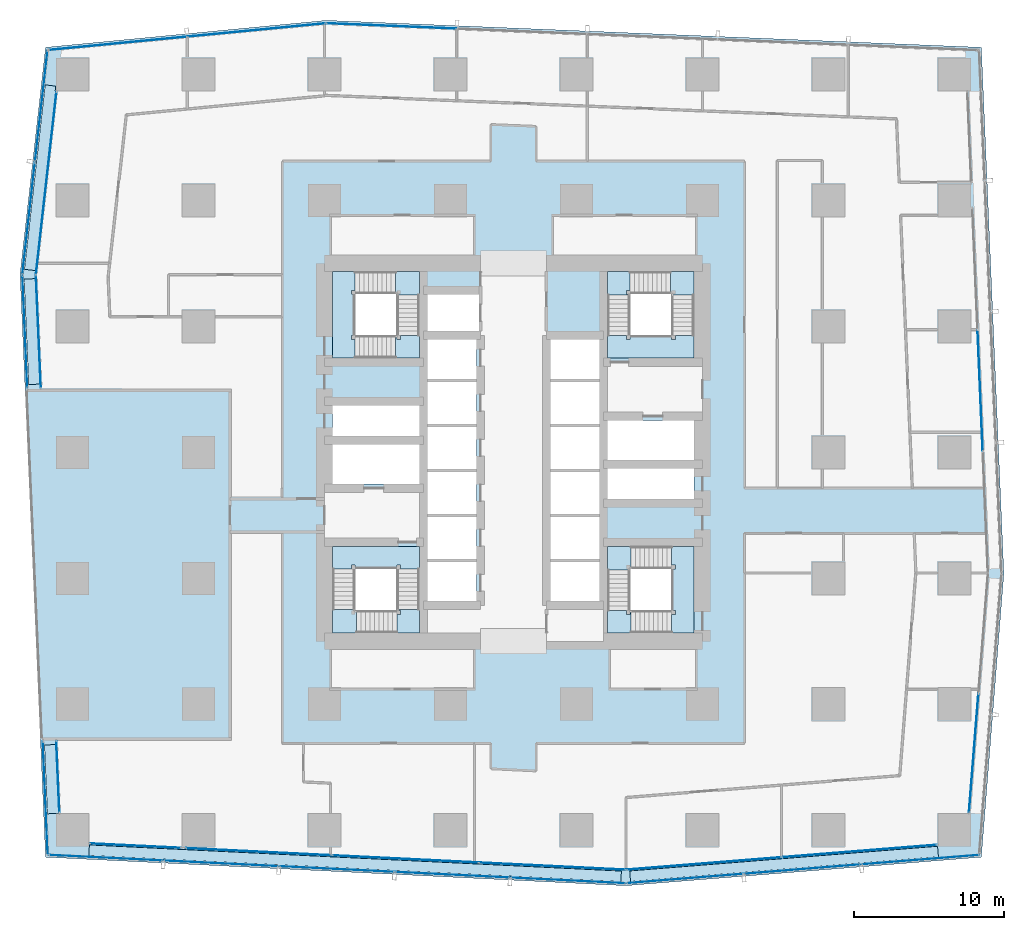
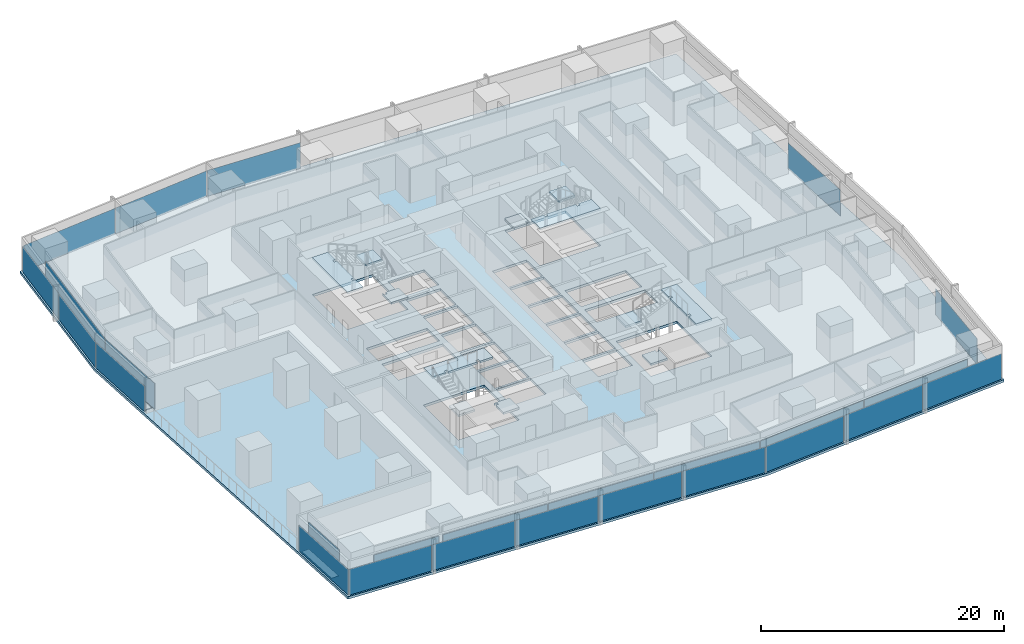
# One storey, part 28 of 42: 31 plates, 13 slabs, 19 elements without a shape of their own.
"""IFC4 building model written with IfcOpenShell, lengths in metres."""

from ifc_helpers import new_model, si_unit, direction, frame, origin, origin_2d, place, context, subcontext, project, spatial, polyline, rectangle, outline, extrude, material, layer, layer_set, type_object, element, aggregate, save


model = new_model("IFC4")

# Units and contexts
model_context = context("Model", 3, precision=1e-05, world=origin(), true_north=direction((0.0, 1.0)))
body_context = subcontext(model_context, "Body", "Model", "MODEL_VIEW")
ifc_project = project(units=[si_unit("LENGTHUNIT", "METRE"), si_unit("AREAUNIT", "SQUARE_METRE"), si_unit("VOLUMEUNIT", "CUBIC_METRE"), si_unit("PLANEANGLEUNIT", "RADIAN"), si_unit("MASSUNIT", "GRAM", prefix="KILO")], contexts=[model_context])

# Site, building, storey
site_placement = place(None, origin())
site = spatial("IfcSite", under=ifc_project, at=site_placement, CompositionType="ELEMENT")
building_placement = place(site_placement, origin())
building = spatial("IfcBuilding", under=site, at=building_placement, Name="Rekha Terrace Tower", CompositionType="ELEMENT")
storey_placement = place(building_placement, frame((0.0, 0.0, 55.39990234375)))
storey = spatial("IfcBuildingStorey", under=building, at=storey_placement, Name="L13", CompositionType="ELEMENT", Elevation=55.39990234375)

# Curtain wall, plate
ifc_material_1 = material(Name="Aluminium framing", Category="aluminium")
curtain_wall_type_1 = type_object("IfcCurtainWallType", Name="CW1 double skin inner glazing", PredefinedType="USERDEFINED", material=ifc_material_1)
curtain_wall_1_placement = place(storey_placement, origin())
curtain_wall_1 = element("IfcCurtainWall", 1, at=curtain_wall_1_placement, inside=storey, type_object=curtain_wall_type_1, Name="CW1 double skin inner glazing", ObjectType="DOUBLE SKIN INNER GLAZING", PredefinedType="USERDEFINED")
ifc_material_2 = material(Name="Double-glazed low-e unit 32", Category="glass")
ifc_layer_1 = layer(ifc_material_2, 0.031982421875)
ifc_layer_set_1 = layer_set([ifc_layer_1], Name="Double-glazed low-e unit 32")
plate_type_1 = type_object("IfcPlateType", Name="CW1 jumbo vision panel, double-glazed low-e unit 32", PredefinedType="CURTAIN_PANEL", material=ifc_layer_set_1)
plate_1_placement = place(storey_placement, frame((12.60009765625, 7.36669921875, 0.0), z_axis=(0.0, 0.0, 1.0), x_axis=(0.998796239977, -0.049051717693, 0.0)))
plate_1 = element("IfcPlate", 2, at=plate_1_placement, type_object=plate_type_1, Name="CW1 panel 1.1", PredefinedType="CURTAIN_PANEL", context=body_context, shape_type="SweptSolid", body=[
    extrude(rectangle(XDim=6.028076171875, YDim=0.031982421875, at=origin_2d()), origin(), (0.0, 0.0, 1.0), 2.60009765625),
])
aggregate(curtain_wall_1, [plate_1])

# Curtain wall, plates
curtain_wall_2_placement = place(storey_placement, origin())
curtain_wall_2 = element("IfcCurtainWall", 3, at=curtain_wall_2_placement, inside=storey, type_object=curtain_wall_type_1, Name="CW1 double skin inner glazing", ObjectType="DOUBLE SKIN INNER GLAZING", PredefinedType="USERDEFINED")
plate_2_placement = place(storey_placement, frame((20.818603515625, 6.962890625, 0.0), z_axis=(0.0, 0.0, 1.0), x_axis=(0.998796239974, -0.049051717746, 0.0)))
plate_2 = element("IfcPlate", 4, at=plate_2_placement, type_object=plate_type_1, Name="CW1 panel 1.1", PredefinedType="CURTAIN_PANEL", context=body_context, shape_type="SweptSolid", body=[
    extrude(rectangle(XDim=9.701904296875, YDim=0.031982421875, at=origin_2d()), origin(), (0.0, 0.0, 1.0), 2.60009765625),
])
plate_3_placement = place(storey_placement, frame((30.590087890625, 6.483154296875, 0.0), z_axis=(0.0, 0.0, 1.0), x_axis=(0.998796239974, -0.049051717746, 0.0)))
plate_3 = element("IfcPlate", 5, at=plate_3_placement, type_object=plate_type_1, Name="CW1 panel 2.1", PredefinedType="CURTAIN_PANEL", context=body_context, shape_type="SweptSolid", body=[
    extrude(rectangle(XDim=9.734619140625, YDim=0.031982421875, at=origin_2d()), origin(), (0.0, 0.0, 1.0), 2.60009765625),
])
plate_4_placement = place(storey_placement, frame((40.39404296875, 6.001708984375, 0.0), z_axis=(0.0, 0.0, 1.0), x_axis=(0.998796239974, -0.049051717746, 0.0)))
plate_4 = element("IfcPlate", 6, at=plate_4_placement, type_object=plate_type_1, Name="CW1 panel 3.1", PredefinedType="CURTAIN_PANEL", context=body_context, shape_type="SweptSolid", body=[
    extrude(rectangle(XDim=9.76708984375, YDim=0.031982421875, at=origin_2d()), origin(), (0.0, 0.0, 1.0), 2.60009765625),
])
aggregate(curtain_wall_2, [plate_2, plate_3, plate_4])

curtain_wall_3_placement = place(storey_placement, origin())
curtain_wall_3 = element("IfcCurtainWall", 7, at=curtain_wall_3_placement, inside=storey, type_object=curtain_wall_type_1, Name="CW1 double skin inner glazing", ObjectType="DOUBLE SKIN INNER GLAZING", PredefinedType="USERDEFINED")
plate_5_placement = place(storey_placement, frame((50.488037109375, 6.18017578125, 0.0), z_axis=(0.0, 0.0, 1.0), x_axis=(0.996805111821, 0.079872204468, 0.0)))
plate_5 = element("IfcPlate", 8, at=plate_5_placement, type_object=plate_type_1, Name="CW1 panel 1.1", PredefinedType="CURTAIN_PANEL", context=body_context, shape_type="SweptSolid", body=[
    extrude(rectangle(XDim=10.336181640625, YDim=0.031982421875, at=origin_2d()), origin(), (0.0, 0.0, 1.0), 2.60009765625),
])
plate_6_placement = place(storey_placement, frame((60.85595703125, 7.0107421875, 0.0), z_axis=(0.0, 0.0, 1.0), x_axis=(0.996805111821, 0.079872204468, 0.0)))
plate_6 = element("IfcPlate", 9, at=plate_6_placement, type_object=plate_type_1, Name="CW1 panel 2.1", PredefinedType="CURTAIN_PANEL", context=body_context, shape_type="SweptSolid", body=[
    extrude(rectangle(XDim=10.336181640625, YDim=0.031982421875, at=origin_2d()), origin(), (0.0, 0.0, 1.0), 2.60009765625),
])
aggregate(curtain_wall_3, [plate_5, plate_6])

# Curtain wall, plate
curtain_wall_4_placement = place(storey_placement, origin())
curtain_wall_4 = element("IfcCurtainWall", 10, at=curtain_wall_4_placement, inside=storey, type_object=curtain_wall_type_1, Name="CW1 double skin inner glazing", ObjectType="DOUBLE SKIN INNER GLAZING", PredefinedType="USERDEFINED")
plate_7_placement = place(storey_placement, frame((68.487548828125, 13.541748046875, 0.0), z_axis=(0.0, 0.0, 1.0), x_axis=(0.079116301, 0.996865392576, 0.0)))
plate_7 = element("IfcPlate", 11, at=plate_7_placement, type_object=plate_type_1, Name="CW1 panel 1.1", PredefinedType="CURTAIN_PANEL", context=body_context, shape_type="SweptSolid", body=[
    extrude(rectangle(XDim=7.923583984375, YDim=0.031982421875, at=origin_2d()), origin(), (0.0, 0.0, 1.0), 2.60009765625),
])
aggregate(curtain_wall_4, [plate_7])

curtain_wall_5_placement = place(storey_placement, origin())
curtain_wall_5 = element("IfcCurtainWall", 12, at=curtain_wall_5_placement, inside=storey, type_object=curtain_wall_type_1, Name="CW1 double skin inner glazing", ObjectType="DOUBLE SKIN INNER GLAZING", PredefinedType="USERDEFINED")
plate_8_placement = place(storey_placement, frame((68.9169921875, 37.7158203125, 0.0), z_axis=(0.0, 0.0, 1.0), x_axis=(-0.042696072921, 0.999088106904, 0.0)))
plate_8 = element("IfcPlate", 13, at=plate_8_placement, type_object=plate_type_1, Name="CW1 panel 2.1", PredefinedType="CURTAIN_PANEL", context=body_context, shape_type="SweptSolid", body=[
    extrude(rectangle(XDim=8.073486328125, YDim=0.031982421875, at=origin_2d()), origin(), (0.0, 0.0, 1.0), 2.60009765625),
])
aggregate(curtain_wall_5, [plate_8])

curtain_wall_6_placement = place(storey_placement, origin())
curtain_wall_6 = element("IfcCurtainWall", 14, at=curtain_wall_6_placement, inside=storey, type_object=curtain_wall_type_1, Name="CW1 double skin inner glazing", ObjectType="DOUBLE SKIN INNER GLAZING", PredefinedType="USERDEFINED")
plate_9_placement = place(storey_placement, frame((6.646728515625, 51.52734375, 0.0), z_axis=(0.0, 0.0, 1.0), x_axis=(-0.111729870748, -0.993738615524, 0.0)))
plate_9 = element("IfcPlate", 15, at=plate_9_placement, type_object=plate_type_1, Name="CW1 panel 1.1", PredefinedType="CURTAIN_PANEL", context=body_context, shape_type="SweptSolid", body=[
    extrude(rectangle(XDim=12.243896484375, YDim=0.031982421875, at=origin_2d()), origin(), (0.0, 0.0, 1.0), 2.60009765625),
])
aggregate(curtain_wall_6, [plate_9])

curtain_wall_7_placement = place(storey_placement, origin())
curtain_wall_7 = element("IfcCurtainWall", 16, at=curtain_wall_7_placement, inside=storey, type_object=curtain_wall_type_1, Name="CW1 double skin inner glazing", ObjectType="DOUBLE SKIN INNER GLAZING", PredefinedType="USERDEFINED")
plate_10_placement = place(storey_placement, frame((6.129150390625, 41.636962890625, 0.0), z_axis=(0.0, 0.0, 1.0), x_axis=(0.043682543355, -0.999045462132, 0.0)))
plate_10 = element("IfcPlate", 17, at=plate_10_placement, type_object=plate_type_1, Name="CW1 panel 1.1", PredefinedType="CURTAIN_PANEL", context=body_context, shape_type="SweptSolid", body=[
    extrude(rectangle(XDim=7.490966796875, YDim=0.031982421875, at=origin_2d()), origin(), (0.0, 0.0, 1.0), 2.60009765625),
])
aggregate(curtain_wall_7, [plate_10])

curtain_wall_8_placement = place(storey_placement, origin())
curtain_wall_8 = element("IfcCurtainWall", 18, at=curtain_wall_8_placement, inside=storey, type_object=curtain_wall_type_1, Name="CW1 double skin inner glazing", ObjectType="DOUBLE SKIN INNER GLAZING", PredefinedType="USERDEFINED")
plate_11_placement = place(storey_placement, frame((7.426513671875, 11.96044921875, 0.0), z_axis=(0.0, 0.0, 1.0), x_axis=(0.043682543424, -0.999045462129, 0.0)))
plate_11 = element("IfcPlate", 19, at=plate_11_placement, type_object=plate_type_1, Name="CW1 panel 1.1", PredefinedType="CURTAIN_PANEL", context=body_context, shape_type="SweptSolid", body=[
    extrude(rectangle(XDim=4.74755859375, YDim=0.031982421875, at=origin_2d()), origin(), (0.0, 0.0, 1.0), 2.60009765625),
])
aggregate(curtain_wall_8, [plate_11])

# Curtain wall, plates
curtain_wall_type_2 = type_object("IfcCurtainWallType", Name="CW2 double skin outer glazing", PredefinedType="USERDEFINED", material=ifc_material_1)
curtain_wall_9_placement = place(storey_placement, origin())
curtain_wall_9 = element("IfcCurtainWall", 20, at=curtain_wall_9_placement, inside=storey, type_object=curtain_wall_type_2, Name="CW2 double skin outer glazing", ObjectType="DOUBLE SKIN OUTER GLAZING", PredefinedType="USERDEFINED")
ifc_material_3 = material(Name="Toughened single glazing 12", Category="glass")
ifc_layer_2 = layer(ifc_material_3, 0.011962890625)
ifc_layer_set_2 = layer_set([ifc_layer_2], Name="Toughened single glazing 12")
plate_type_2 = type_object("IfcPlateType", Name="CW2 jumbo vision panel, toughened single glazing 12", PredefinedType="CURTAIN_PANEL", material=ifc_layer_set_2)
plate_12_placement = place(storey_placement, frame((10.626708984375, 6.5625, 0.0), z_axis=(0.0, 0.0, 1.0), x_axis=(0.998796239974, -0.049051717746, 0.0)))
plate_12 = element("IfcPlate", 21, at=plate_12_placement, type_object=plate_type_2, Name="CW2 panel 1.1", PredefinedType="CURTAIN_PANEL", context=body_context, shape_type="SweptSolid", body=[
    extrude(rectangle(XDim=7.595703125, YDim=0.011962890625, at=origin_2d()), origin(), (0.0, 0.0, 1.0), 2.60009765625),
])
plate_13_placement = place(storey_placement, frame((18.31298828125, 6.18505859375, 0.0), z_axis=(0.0, 0.0, 1.0), x_axis=(0.998796239974, -0.049051717746, 0.0)))
plate_13 = element("IfcPlate", 22, at=plate_13_placement, type_object=plate_type_2, Name="CW2 panel 2.1", PredefinedType="CURTAIN_PANEL", context=body_context, shape_type="SweptSolid", body=[
    extrude(rectangle(XDim=7.6357421875, YDim=0.011962890625, at=origin_2d()), origin(), (0.0, 0.0, 1.0), 2.60009765625),
])
plate_14_placement = place(storey_placement, frame((26.01953125, 5.806396484375, 0.0), z_axis=(0.0, 0.0, 1.0), x_axis=(0.998796239974, -0.049051717746, 0.0)))
plate_14 = element("IfcPlate", 23, at=plate_14_placement, type_object=plate_type_2, Name="CW2 panel 3.1", PredefinedType="CURTAIN_PANEL", context=body_context, shape_type="SweptSolid", body=[
    extrude(rectangle(XDim=7.6357421875, YDim=0.011962890625, at=origin_2d()), origin(), (0.0, 0.0, 1.0), 2.60009765625),
])
plate_15_placement = place(storey_placement, frame((33.725830078125, 5.427978515625, 0.0), z_axis=(0.0, 0.0, 1.0), x_axis=(0.998796239974, -0.049051717746, 0.0)))
plate_15 = element("IfcPlate", 24, at=plate_15_placement, type_object=plate_type_2, Name="CW2 panel 4.1", PredefinedType="CURTAIN_PANEL", context=body_context, shape_type="SweptSolid", body=[
    extrude(rectangle(XDim=7.6357421875, YDim=0.011962890625, at=origin_2d()), origin(), (0.0, 0.0, 1.0), 2.60009765625),
])
plate_16_placement = place(storey_placement, frame((41.452392578125, 5.048583984375, 0.0), z_axis=(0.0, 0.0, 1.0), x_axis=(0.998796239974, -0.049051717746, 0.0)))
plate_16 = element("IfcPlate", 25, at=plate_16_placement, type_object=plate_type_2, Name="CW2 panel 5.1", PredefinedType="CURTAIN_PANEL", context=body_context, shape_type="SweptSolid", body=[
    extrude(rectangle(XDim=7.67578125, YDim=0.011962890625, at=origin_2d()), origin(), (0.0, 0.0, 1.0), 2.60009765625),
])
aggregate(curtain_wall_9, [plate_12, plate_13, plate_14, plate_15, plate_16])

curtain_wall_10_placement = place(storey_placement, origin())
curtain_wall_10 = element("IfcCurtainWall", 26, at=curtain_wall_10_placement, inside=storey, type_object=curtain_wall_type_2, Name="CW2 double skin outer glazing", ObjectType="DOUBLE SKIN OUTER GLAZING", PredefinedType="USERDEFINED")
plate_17_placement = place(storey_placement, frame((49.233154296875, 5.176513671875, 0.0), z_axis=(0.0, 0.0, 1.0), x_axis=(0.996805111821, 0.079872204468, 0.0)))
plate_17 = element("IfcPlate", 27, at=plate_17_placement, type_object=plate_type_2, Name="CW2 panel 1.1", PredefinedType="CURTAIN_PANEL", context=body_context, shape_type="SweptSolid", body=[
    extrude(rectangle(XDim=7.760498046875, YDim=0.011962890625, at=origin_2d()), origin(), (0.0, 0.0, 1.0), 2.60009765625),
])
plate_18_placement = place(storey_placement, frame((57.068359375, 5.804443359375, 0.0), z_axis=(0.0, 0.0, 1.0), x_axis=(0.996805111821, 0.079872204468, 0.0)))
plate_18 = element("IfcPlate", 28, at=plate_18_placement, type_object=plate_type_2, Name="CW2 panel 2.1", PredefinedType="CURTAIN_PANEL", context=body_context, shape_type="SweptSolid", body=[
    extrude(rectangle(XDim=7.800537109375, YDim=0.011962890625, at=origin_2d()), origin(), (0.0, 0.0, 1.0), 2.60009765625),
])
plate_19_placement = place(storey_placement, frame((64.943603515625, 6.435546875, 0.0), z_axis=(0.0, 0.0, 1.0), x_axis=(0.996805111821, 0.079872204468, 0.0)))
plate_19 = element("IfcPlate", 29, at=plate_19_placement, type_object=plate_type_2, Name="CW2 panel 3.1", PredefinedType="CURTAIN_PANEL", context=body_context, shape_type="SweptSolid", body=[
    extrude(rectangle(XDim=7.84033203125, YDim=0.011962890625, at=origin_2d()), origin(), (0.0, 0.0, 1.0), 2.60009765625),
])
aggregate(curtain_wall_10, [plate_17, plate_18, plate_19])

curtain_wall_11_placement = place(storey_placement, origin())
curtain_wall_11 = element("IfcCurtainWall", 30, at=curtain_wall_11_placement, inside=storey, type_object=curtain_wall_type_2, Name="CW2 double skin outer glazing", ObjectType="DOUBLE SKIN OUTER GLAZING", PredefinedType="USERDEFINED")
plate_20_placement = place(storey_placement, frame((6.3212890625, 56.688720703125, 0.0), z_axis=(0.0, 0.0, 1.0), x_axis=(-0.111729870782, -0.99373861552, 0.0)))
plate_20 = element("IfcPlate", 31, at=plate_20_placement, type_object=plate_type_2, Name="CW2 panel 1.1", PredefinedType="CURTAIN_PANEL", context=body_context, shape_type="SweptSolid", body=[
    extrude(rectangle(XDim=7.41650390625, YDim=0.011962890625, at=origin_2d()), origin(), (0.0, 0.0, 1.0), 2.60009765625),
])
plate_21_placement = place(storey_placement, frame((5.479248046875, 49.19921875, 0.0), z_axis=(0.0, 0.0, 1.0), x_axis=(-0.111729870782, -0.99373861552, 0.0)))
plate_21 = element("IfcPlate", 32, at=plate_21_placement, type_object=plate_type_2, Name="CW2 panel 2.1", PredefinedType="CURTAIN_PANEL", context=body_context, shape_type="SweptSolid", body=[
    extrude(rectangle(XDim=7.49658203125, YDim=0.011962890625, at=origin_2d()), origin(), (0.0, 0.0, 1.0), 2.60009765625),
])
aggregate(curtain_wall_11, [plate_20, plate_21])

# Curtain wall, plate
curtain_wall_12_placement = place(storey_placement, origin())
curtain_wall_12 = element("IfcCurtainWall", 33, at=curtain_wall_12_placement, inside=storey, type_object=curtain_wall_type_2, Name="CW2 double skin outer glazing", ObjectType="DOUBLE SKIN OUTER GLAZING", PredefinedType="USERDEFINED")
plate_22_placement = place(storey_placement, frame((5.2275390625, 41.65234375, 0.0), z_axis=(0.0, 0.0, 1.0), x_axis=(0.043682543424, -0.999045462129, 0.0)))
plate_22 = element("IfcPlate", 34, at=plate_22_placement, type_object=plate_type_2, Name="CW2 panel 1.1", PredefinedType="CURTAIN_PANEL", context=body_context, shape_type="SweptSolid", body=[
    extrude(rectangle(XDim=7.491943359375, YDim=0.011962890625, at=origin_2d()), origin(), (0.0, 0.0, 1.0), 2.60009765625),
])
aggregate(curtain_wall_12, [plate_22])

curtain_wall_13_placement = place(storey_placement, origin())
curtain_wall_13 = element("IfcCurtainWall", 35, at=curtain_wall_13_placement, inside=storey, type_object=curtain_wall_type_2, Name="CW2 double skin outer glazing", ObjectType="DOUBLE SKIN OUTER GLAZING", PredefinedType="USERDEFINED")
plate_23_placement = place(storey_placement, frame((6.588134765625, 10.534912109375, 0.0), z_axis=(0.0, 0.0, 1.0), x_axis=(0.04368254339, -0.99904546213, 0.0)))
plate_23 = element("IfcPlate", 36, at=plate_23_placement, type_object=plate_type_2, Name="CW2 panel 1.1", PredefinedType="CURTAIN_PANEL", context=body_context, shape_type="SweptSolid", body=[
    extrude(rectangle(XDim=7.571533203125, YDim=0.011962890625, at=origin_2d()), origin(), (0.0, 0.0, 1.0), 2.60009765625),
])
aggregate(curtain_wall_13, [plate_23])

curtain_wall_type_3 = type_object("IfcCurtainWallType", Name="CW3 north unitised glazing", PredefinedType="USERDEFINED", material=ifc_material_1)
curtain_wall_14_placement = place(storey_placement, origin())
curtain_wall_14 = element("IfcCurtainWall", 37, at=curtain_wall_14_placement, inside=storey, type_object=curtain_wall_type_3, Name="CW3 unitised curtain wall", ObjectType="UNITISED CURTAIN WALL", PredefinedType="USERDEFINED")
ifc_material_4 = material(Name="Double-glazed unit 28", Category="glass")
ifc_layer_3 = layer(ifc_material_4, 0.028076171875)
ifc_layer_set_3 = layer_set([ifc_layer_3], Name="Double-glazed unit 28")
plate_type_3 = type_object("IfcPlateType", Name="CW3 jumbo vision panel, double-glazed unit 28", PredefinedType="CURTAIN_PANEL", material=ifc_layer_set_3)
plate_24_placement = place(storey_placement, frame((29.65625, 62.021240234375, 0.0), z_axis=(0.0, 0.0, 1.0), x_axis=(-0.999151997647, 0.041173846041, 0.0)))
plate_24 = element("IfcPlate", 38, at=plate_24_placement, type_object=plate_type_3, Name="CW3 panel 5.1", PredefinedType="CURTAIN_PANEL", context=body_context, shape_type="SweptSolid", body=[
    extrude(rectangle(XDim=8.6689453125, YDim=0.028076171875, at=origin_2d()), origin(), (0.0, 0.0, 1.0), 2.60009765625),
])
aggregate(curtain_wall_14, [plate_24])

# Curtain wall, plates
curtain_wall_15_placement = place(storey_placement, origin())
curtain_wall_15 = element("IfcCurtainWall", 39, at=curtain_wall_15_placement, inside=storey, type_object=curtain_wall_type_3, Name="CW3 unitised curtain wall", ObjectType="UNITISED CURTAIN WALL", PredefinedType="USERDEFINED")
plate_25_placement = place(storey_placement, frame((20.671875, 61.752197265625, 0.0), z_axis=(0.0, 0.0, 1.0), x_axis=(-0.995409029102, -0.095712406625, 0.0)))
plate_25 = element("IfcPlate", 40, at=plate_25_placement, type_object=plate_type_3, Name="CW3 panel 1.1", PredefinedType="CURTAIN_PANEL", context=body_context, shape_type="SweptSolid", body=[
    extrude(rectangle(XDim=9.210205078125, YDim=0.028076171875, at=origin_2d()), origin(), (0.0, 0.0, 1.0), 2.60009765625),
])
plate_26_placement = place(storey_placement, frame((11.434326171875, 60.864013671875, 0.0), z_axis=(0.0, 0.0, 1.0), x_axis=(-0.995409029102, -0.095712406625, 0.0)))
plate_26 = element("IfcPlate", 41, at=plate_26_placement, type_object=plate_type_3, Name="CW3 panel 2.1", PredefinedType="CURTAIN_PANEL", context=body_context, shape_type="SweptSolid", body=[
    extrude(rectangle(XDim=9.210205078125, YDim=0.028076171875, at=origin_2d()), origin(), (0.0, 0.0, 1.0), 2.60009765625),
])
aggregate(curtain_wall_15, [plate_25, plate_26])

# Plates
ifc_material_5 = material(Name="Galvanised steel open grating", Category="steel")
ifc_layer_4 = layer(ifc_material_5, 0.050048828125)
ifc_layer_set_4 = layer_set([ifc_layer_4], Name="Galvanised steel open grating")
plate_type_4 = type_object("IfcPlateType", Name="GT1 cavity walkway grating 50", PredefinedType="USERDEFINED", material=ifc_layer_set_4)
plate_27_placement = place(storey_placement, frame((27.24365234375, 6.197021484375, 0.0), z_axis=(0.0, 0.0, 1.0), x_axis=(0.998796239974, -0.049051717746, 0.0)))
element("IfcPlate", 42, at=plate_27_placement, inside=storey, type_object=plate_type_4, Name="Cavity walkway grating", ObjectType="CAVITY WALKWAY GRATING", PredefinedType="USERDEFINED", context=body_context, shape_type="SweptSolid", body=[
    extrude(rectangle(XDim=35.512939453125, YDim=0.705078125, at=origin_2d()), origin(), (0.0, 0.0, 1.0), 0.050048828125),
])
plate_28_placement = place(storey_placement, frame((55.841552734375, 6.15771484375, 0.0), z_axis=(0.0, 0.0, 1.0), x_axis=(0.996805111821, 0.079872204468, 0.0)))
element("IfcPlate", 43, at=plate_28_placement, inside=storey, type_object=plate_type_4, Name="Cavity walkway grating", ObjectType="CAVITY WALKWAY GRATING", PredefinedType="USERDEFINED", context=body_context, shape_type="SweptSolid", body=[
    extrude(rectangle(XDim=20.59375, YDim=0.705078125, at=origin_2d()), origin(), (0.0, 0.0, 1.0), 0.050048828125),
])
plate_29_placement = place(storey_placement, frame((6.236328125, 51.90576171875, 0.0), z_axis=(0.0, 0.0, 1.0), x_axis=(-0.1117298708, -0.993738615518, 0.0)))
element("IfcPlate", 44, at=plate_29_placement, inside=storey, type_object=plate_type_4, Name="Cavity walkway grating", ObjectType="CAVITY WALKWAY GRATING", PredefinedType="USERDEFINED", context=body_context, shape_type="SweptSolid", body=[
    extrude(rectangle(XDim=12.374267578125, YDim=0.705078125, at=origin_2d()), origin(), (0.0, 0.0, 1.0), 0.050048828125),
])
plate_30_placement = place(storey_placement, frame((5.67822265625, 41.64453125, 0.0), z_axis=(0.0, 0.0, 1.0), x_axis=(0.043682543355, -0.999045462132, 0.0)))
element("IfcPlate", 45, at=plate_30_placement, inside=storey, type_object=plate_type_4, Name="Cavity walkway grating", ObjectType="CAVITY WALKWAY GRATING", PredefinedType="USERDEFINED", context=body_context, shape_type="SweptSolid", body=[
    extrude(rectangle(XDim=7.036376953125, YDim=0.705078125, at=origin_2d()), origin(), (0.0, 0.0, 1.0), 0.050048828125),
])
plate_31_placement = place(storey_placement, frame((6.983154296875, 11.803955078125, 0.0), z_axis=(0.0, 0.0, 1.0), x_axis=(0.043682543355, -0.999045462132, 0.0)))
element("IfcPlate", 46, at=plate_31_placement, inside=storey, type_object=plate_type_4, Name="Cavity walkway grating", ObjectType="CAVITY WALKWAY GRATING", PredefinedType="USERDEFINED", context=body_context, shape_type="SweptSolid", body=[
    extrude(rectangle(XDim=4.591064453125, YDim=0.705078125, at=origin_2d()), origin(), (0.0, 0.0, 1.0), 0.050048828125),
])

# Stair, slabs
ifc_material_6 = material(Name="Concrete M40", Category="concrete")
stair_type = type_object("IfcStairType", Name="ST30 stair, 30 risers of 125, going 300, 1500 wide flights, 3 flights", PredefinedType="HALF_TURN_STAIR", material=ifc_material_6)
stair_1_placement = place(storey_placement, origin())
stair_1 = element("IfcStair", 47, at=stair_1_placement, inside=storey, type_object=stair_type, Name="Stair ST1 L13 to L14", PredefinedType="HALF_TURN_STAIR")
ifc_layer_5 = layer(ifc_material_6, 0.199951171875)
ifc_layer_set_5 = layer_set([ifc_layer_5], Name="Concrete M40")
slab_type_1 = type_object("IfcSlabType", Name="LD1 200 concrete stair landing", PredefinedType="LANDING", material=ifc_layer_set_5)
slab_1_placement = place(storey_placement, frame((0.0, 0.0, 1.050048828125)))
slab_1 = element("IfcSlab", 48, at=slab_1_placement, type_object=slab_type_1, Name="ST1 landing 1", PredefinedType="LANDING", context=body_context, shape_type="SweptSolid", body=[
    extrude(outline(polyline([(30.02490234375, 21.550048828125), (31.52490234375, 21.550048828125), (31.52490234375, 23.125), (30.02490234375, 23.125), (30.02490234375, 23.050048828125), (30.27490234375, 23.050048828125), (30.27490234375, 22.800048828125), (30.02490234375, 22.800048828125), (30.02490234375, 21.550048828125)])), origin(), (0.0, 0.0, 1.0), 0.199951171875),
])
slab_2_placement = place(storey_placement, frame((0.0, 0.0, 2.300048828125)))
slab_2 = element("IfcSlab", 49, at=slab_2_placement, type_object=slab_type_1, Name="ST1 landing 2", PredefinedType="LANDING", context=body_context, shape_type="SweptSolid", body=[
    extrude(outline(polyline([(27.25, 23.125), (25.75, 23.125), (25.75, 21.550048828125), (27.324951171875, 21.550048828125), (27.324951171875, 23.050048828125), (27.25, 23.050048828125), (27.25, 23.125)])), origin(), (0.0, 0.0, 1.0), 0.199951171875),
])
slab_3_placement = place(storey_placement, frame((0.0, 0.0, 3.550048828125)))
slab_3 = element("IfcSlab", 50, at=slab_3_placement, type_object=slab_type_1, Name="ST1 landing 3", PredefinedType="LANDING", context=body_context, shape_type="SweptSolid", body=[
    extrude(outline(polyline([(31.52490234375, 25.824951171875), (31.52490234375, 27.324951171875), (25.75, 27.324951171875), (25.75, 25.824951171875), (27.0, 25.824951171875), (27.0, 26.074951171875), (27.25, 26.074951171875), (27.25, 25.824951171875), (30.02490234375, 25.824951171875), (30.02490234375, 26.074951171875), (30.27490234375, 26.074951171875), (30.27490234375, 25.824951171875), (31.52490234375, 25.824951171875)])), origin(), (0.0, 0.0, 1.0), 0.199951171875),
])
aggregate(stair_1, [slab_1, slab_2, slab_3])

stair_2_placement = place(storey_placement, origin())
stair_2 = element("IfcStair", 51, at=stair_2_placement, inside=storey, type_object=stair_type, Name="Stair ST2 L13 to L14", PredefinedType="HALF_TURN_STAIR")
slab_4_placement = place(storey_placement, frame((0.0, 0.0, 1.050048828125)))
slab_4 = element("IfcSlab", 52, at=slab_4_placement, type_object=slab_type_1, Name="ST2 landing 1", PredefinedType="LANDING", context=body_context, shape_type="SweptSolid", body=[
    extrude(outline(polyline([(45.574951171875, 45.64990234375), (44.074951171875, 45.64990234375), (44.074951171875, 44.074951171875), (45.574951171875, 44.074951171875), (45.574951171875, 44.14990234375), (45.324951171875, 44.14990234375), (45.324951171875, 44.39990234375), (45.574951171875, 44.39990234375), (45.574951171875, 45.64990234375)])), origin(), (0.0, 0.0, 1.0), 0.199951171875),
])
slab_5_placement = place(storey_placement, frame((0.0, 0.0, 2.300048828125)))
slab_5 = element("IfcSlab", 53, at=slab_5_placement, type_object=slab_type_1, Name="ST2 landing 2", PredefinedType="LANDING", context=body_context, shape_type="SweptSolid", body=[
    extrude(outline(polyline([(48.35009765625, 44.074951171875), (49.85009765625, 44.074951171875), (49.85009765625, 45.64990234375), (48.27490234375, 45.64990234375), (48.27490234375, 44.14990234375), (48.35009765625, 44.14990234375), (48.35009765625, 44.074951171875)])), origin(), (0.0, 0.0, 1.0), 0.199951171875),
])
slab_6_placement = place(storey_placement, frame((0.0, 0.0, 3.550048828125)))
slab_6 = element("IfcSlab", 54, at=slab_6_placement, type_object=slab_type_1, Name="ST2 landing 3", PredefinedType="LANDING", context=body_context, shape_type="SweptSolid", body=[
    extrude(outline(polyline([(44.074951171875, 41.375), (44.074951171875, 39.875), (49.85009765625, 39.875), (49.85009765625, 41.375), (48.60009765625, 41.375), (48.60009765625, 41.125), (48.35009765625, 41.125), (48.35009765625, 41.375), (45.574951171875, 41.375), (45.574951171875, 41.125), (45.324951171875, 41.125), (45.324951171875, 41.375), (44.074951171875, 41.375)])), origin(), (0.0, 0.0, 1.0), 0.199951171875),
])
aggregate(stair_2, [slab_4, slab_5, slab_6])

stair_3_placement = place(storey_placement, origin())
stair_3 = element("IfcStair", 55, at=stair_3_placement, inside=storey, type_object=stair_type, Name="Stair ST3 L13 to L14", PredefinedType="HALF_TURN_STAIR")
slab_7_placement = place(storey_placement, frame((0.0, 0.0, 1.050048828125)))
slab_7 = element("IfcSlab", 56, at=slab_7_placement, type_object=slab_type_1, Name="ST3 landing 1", PredefinedType="LANDING", context=body_context, shape_type="SweptSolid", body=[
    extrude(outline(polyline([(44.074951171875, 23.050048828125), (44.074951171875, 21.550048828125), (45.64990234375, 21.550048828125), (45.64990234375, 23.050048828125), (45.574951171875, 23.050048828125), (45.574951171875, 22.800048828125), (45.324951171875, 22.800048828125), (45.324951171875, 23.050048828125), (44.074951171875, 23.050048828125)])), origin(), (0.0, 0.0, 1.0), 0.199951171875),
])
slab_8_placement = place(storey_placement, frame((0.0, 0.0, 2.300048828125)))
slab_8 = element("IfcSlab", 57, at=slab_8_placement, type_object=slab_type_1, Name="ST3 landing 2", PredefinedType="LANDING", context=body_context, shape_type="SweptSolid", body=[
    extrude(outline(polyline([(45.64990234375, 25.824951171875), (45.64990234375, 27.324951171875), (44.074951171875, 27.324951171875), (44.074951171875, 25.75), (45.574951171875, 25.75), (45.574951171875, 25.824951171875), (45.64990234375, 25.824951171875)])), origin(), (0.0, 0.0, 1.0), 0.199951171875),
])
slab_9_placement = place(storey_placement, frame((0.0, 0.0, 3.550048828125)))
slab_9 = element("IfcSlab", 58, at=slab_9_placement, type_object=slab_type_1, Name="ST3 landing 3", PredefinedType="LANDING", context=body_context, shape_type="SweptSolid", body=[
    extrude(outline(polyline([(48.35009765625, 21.550048828125), (49.85009765625, 21.550048828125), (49.85009765625, 27.324951171875), (48.35009765625, 27.324951171875), (48.35009765625, 26.074951171875), (48.60009765625, 26.074951171875), (48.60009765625, 25.824951171875), (48.35009765625, 25.824951171875), (48.35009765625, 23.050048828125), (48.60009765625, 23.050048828125), (48.60009765625, 22.800048828125), (48.35009765625, 22.800048828125), (48.35009765625, 21.550048828125)])), origin(), (0.0, 0.0, 1.0), 0.199951171875),
])
aggregate(stair_3, [slab_7, slab_8, slab_9])

stair_4_placement = place(storey_placement, origin())
stair_4 = element("IfcStair", 59, at=stair_4_placement, inside=storey, type_object=stair_type, Name="Stair ST4 L13 to L14", PredefinedType="HALF_TURN_STAIR")
slab_10_placement = place(storey_placement, frame((0.0, 0.0, 1.050048828125)))
slab_10 = element("IfcSlab", 60, at=slab_10_placement, type_object=slab_type_1, Name="ST4 landing 1", PredefinedType="LANDING", context=body_context, shape_type="SweptSolid", body=[
    extrude(outline(polyline([(31.52490234375, 41.375), (31.52490234375, 39.875), (29.949951171875, 39.875), (29.949951171875, 41.375), (30.02490234375, 41.375), (30.02490234375, 41.125), (30.27490234375, 41.125), (30.27490234375, 41.375), (31.52490234375, 41.375)])), origin(), (0.0, 0.0, 1.0), 0.199951171875),
])
slab_11_placement = place(storey_placement, frame((0.0, 0.0, 2.300048828125)))
slab_11 = element("IfcSlab", 61, at=slab_11_placement, type_object=slab_type_1, Name="ST4 landing 2", PredefinedType="LANDING", context=body_context, shape_type="SweptSolid", body=[
    extrude(outline(polyline([(29.949951171875, 44.14990234375), (29.949951171875, 45.64990234375), (31.52490234375, 45.64990234375), (31.52490234375, 44.074951171875), (30.02490234375, 44.074951171875), (30.02490234375, 44.14990234375), (29.949951171875, 44.14990234375)])), origin(), (0.0, 0.0, 1.0), 0.199951171875),
])
slab_12_placement = place(storey_placement, frame((0.0, 0.0, 3.550048828125)))
slab_12 = element("IfcSlab", 62, at=slab_12_placement, type_object=slab_type_1, Name="ST4 landing 3", PredefinedType="LANDING", context=body_context, shape_type="SweptSolid", body=[
    extrude(outline(polyline([(27.25, 39.875), (25.75, 39.875), (25.75, 45.64990234375), (27.25, 45.64990234375), (27.25, 44.39990234375), (27.0, 44.39990234375), (27.0, 44.14990234375), (27.25, 44.14990234375), (27.25, 41.375), (27.0, 41.375), (27.0, 41.125), (27.25, 41.125), (27.25, 39.875)])), origin(), (0.0, 0.0, 1.0), 0.199951171875),
])
aggregate(stair_4, [slab_10, slab_11, slab_12])

# Slab
ifc_material_7 = material(Name="Concrete M50", Category="concrete")
ifc_layer_6 = layer(ifc_material_7, 0.25)
ifc_layer_set_6 = layer_set([ifc_layer_6], Name="Concrete M50")
slab_type_2 = type_object("IfcSlabType", Name="SL4 250 post-tensioned flat plate", PredefinedType="FLOOR", material=ifc_layer_set_6)
slab_13_placement = place(storey_placement, frame((0.0, 0.0, -0.25)))
element("IfcSlab", 63, at=slab_13_placement, inside=storey, type_object=slab_type_2, Name="Post-tensioned flat plate L13", PredefinedType="FLOOR", context=body_context, shape_type="SweptSolid", body=[
    extrude(outline(polyline([(4.89990234375, 45.47998046875), (6.60009765625, 6.60009765625), (45.2880859375, 4.699951171875), (69.0, 6.60009765625), (70.5, 25.5), (69.0, 60.60009765625), (25.320068359375, 62.39990234375), (6.60009765625, 60.60009765625), (4.89990234375, 45.47998046875)]), holes=[polyline([(31.52490234375, 27.324951171875), (31.52490234375, 21.550048828125), (25.75, 21.550048828125), (25.75, 27.324951171875), (31.52490234375, 27.324951171875)]), polyline([(35.324951171875, 26.300048828125), (35.324951171875, 23.675048828125), (32.074951171875, 23.675048828125), (32.074951171875, 26.300048828125), (35.324951171875, 26.300048828125)]), polyline([(35.324951171875, 29.300048828125), (35.324951171875, 26.5), (32.074951171875, 26.5), (32.074951171875, 29.300048828125), (35.324951171875, 29.300048828125)]), polyline([(35.324951171875, 29.5), (32.074951171875, 29.5), (32.074951171875, 32.300048828125), (35.324951171875, 32.300048828125), (35.324951171875, 29.5)]), polyline([(31.52490234375, 31.47509765625), (25.75, 31.47509765625), (25.75, 34.125), (31.52490234375, 34.125), (31.52490234375, 31.47509765625)]), polyline([(35.324951171875, 35.300048828125), (35.324951171875, 32.5), (32.074951171875, 32.5), (32.074951171875, 35.300048828125), (35.324951171875, 35.300048828125)]), polyline([(31.52490234375, 36.72509765625), (31.52490234375, 34.675048828125), (25.75, 34.675048828125), (25.75, 36.72509765625), (31.52490234375, 36.72509765625)]), polyline([(35.324951171875, 38.300048828125), (35.324951171875, 35.5), (32.074951171875, 35.5), (32.074951171875, 38.300048828125), (35.324951171875, 38.300048828125)]), polyline([(35.324951171875, 38.5), (32.074951171875, 38.5), (32.074951171875, 41.125), (35.324951171875, 41.125), (35.324951171875, 38.5)]), polyline([(31.52490234375, 39.875), (25.75, 39.875), (25.75, 45.64990234375), (31.52490234375, 45.64990234375), (31.52490234375, 39.875)]), polyline([(35.5, 44.125), (35.5, 41.675048828125), (32.074951171875, 41.675048828125), (32.074951171875, 44.125), (35.5, 44.125)]), polyline([(49.85009765625, 27.324951171875), (49.85009765625, 21.550048828125), (44.074951171875, 21.550048828125), (44.074951171875, 27.324951171875), (49.85009765625, 27.324951171875)]), polyline([(43.52490234375, 26.300048828125), (43.52490234375, 23.675048828125), (40.27490234375, 23.675048828125), (40.27490234375, 26.300048828125), (43.52490234375, 26.300048828125)]), polyline([(43.52490234375, 26.5), (40.27490234375, 26.5), (40.27490234375, 29.300048828125), (43.52490234375, 29.300048828125), (43.52490234375, 26.5)]), polyline([(43.52490234375, 29.5), (40.27490234375, 29.5), (40.27490234375, 32.300048828125), (43.52490234375, 32.300048828125), (43.52490234375, 29.5)]), polyline([(49.85009765625, 32.52490234375), (49.85009765625, 30.47509765625), (44.074951171875, 30.47509765625), (44.074951171875, 32.52490234375), (49.85009765625, 32.52490234375)]), polyline([(43.52490234375, 32.5), (40.27490234375, 32.5), (40.27490234375, 35.300048828125), (43.52490234375, 35.300048828125), (43.52490234375, 32.5)]), polyline([(49.85009765625, 33.074951171875), (44.074951171875, 33.074951171875), (44.074951171875, 35.72509765625), (49.85009765625, 35.72509765625), (49.85009765625, 33.074951171875)]), polyline([(43.52490234375, 38.300048828125), (43.52490234375, 35.5), (40.27490234375, 35.5), (40.27490234375, 38.300048828125), (43.52490234375, 38.300048828125)]), polyline([(43.52490234375, 38.5), (40.27490234375, 38.5), (40.27490234375, 41.125), (43.52490234375, 41.125), (43.52490234375, 38.5)]), polyline([(49.85009765625, 39.875), (44.074951171875, 39.875), (44.074951171875, 45.64990234375), (49.85009765625, 45.64990234375), (49.85009765625, 39.875)])]), origin(), (0.0, 0.0, 1.0), 0.25),
])

save(model, "model.ifc")
